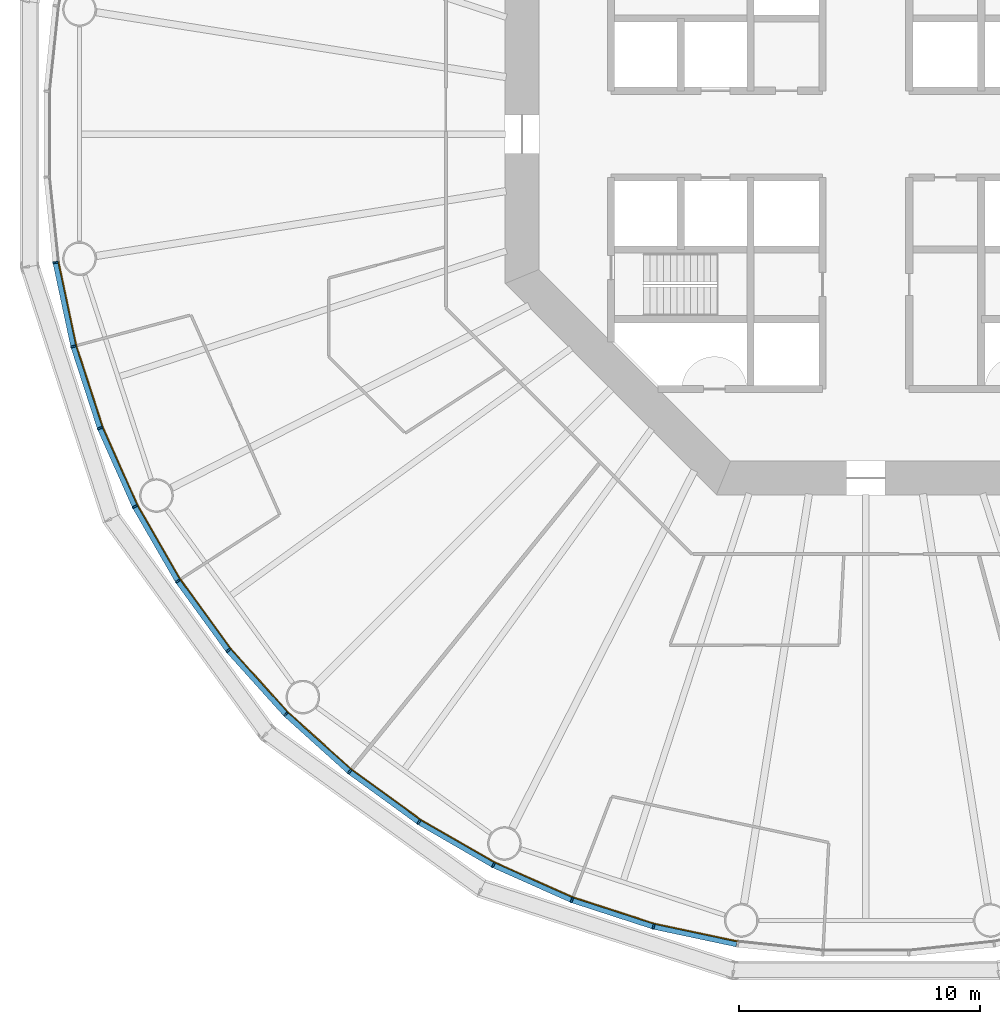
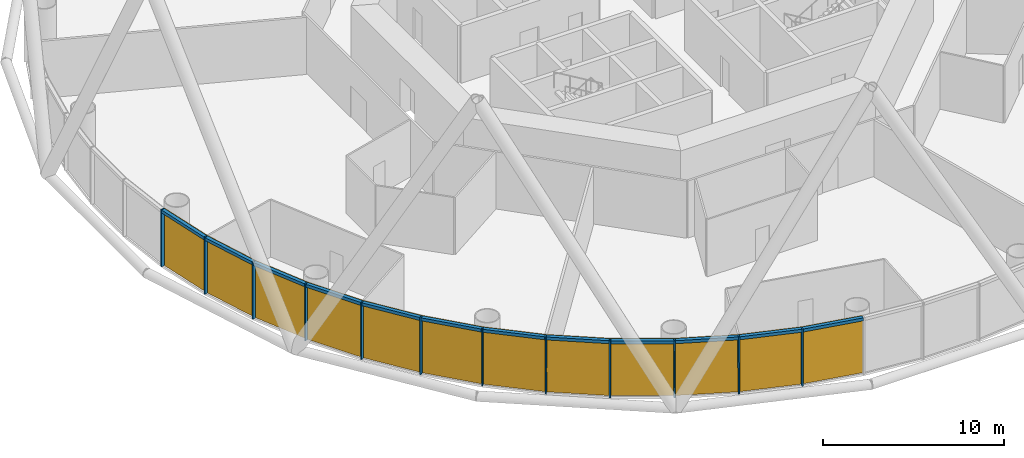
# One storey, part 7 of 13: 24 members, 4 curtain walls.
"""IFC4 building model written with IfcOpenShell, lengths in metres."""

from ifc_helpers import new_model, si_unit, direction, frame, origin, origin_2d, place, context, subcontext, project, spatial, polyline, rectangle, outline, extrude, material, layer, layer_set, material_profile, profile_set, type_object, element, aggregate, save


model = new_model("IFC4")

# Units and contexts
model_context = context("Model", 3, precision=1e-05, world=origin(), true_north=direction((0.0, 1.0)))
body_context = subcontext(model_context, "Body", "Model", "MODEL_VIEW")
ifc_project = project(units=[si_unit("LENGTHUNIT", "METRE"), si_unit("AREAUNIT", "SQUARE_METRE"), si_unit("VOLUMEUNIT", "CUBIC_METRE"), si_unit("PLANEANGLEUNIT", "RADIAN"), si_unit("MASSUNIT", "GRAM", prefix="KILO")], contexts=[model_context])

# Member
ifc_material_1 = material(Name="Anodised aluminium", Category="aluminium")
ifc_material_profile_1 = material_profile(ifc_material_1, rectangle(XDim=0.074951171875, YDim=0.219970703125, at=origin_2d()), Name="Mullion 75 x 220 mm anodised aluminium")
ifc_profile_set_1 = profile_set([ifc_material_profile_1], Name="Anodised aluminium")
member_type_1 = type_object("IfcMemberType", Name="Mullion 75 x 220 mm anodised aluminium", PredefinedType="MULLION", material=ifc_profile_set_1)
site_placement = place(None, origin())
building_placement = place(site_placement, origin())
storey_placement = place(building_placement, frame((0.0, 0.0, 18.0)))
member_1_placement = place(storey_placement, frame((56.31005859375, 74.6640625, 0.0), z_axis=(0.0, 0.0, 1.0), x_axis=(0.15643446504, -0.987688340595, 0.0)))
member_1 = element("IfcMember", 1, at=member_1_placement, type_object=member_type_1, Name="MULLION L02-30", PredefinedType="MULLION", context=body_context, shape_type="SweptSolid", body=[
    extrude(rectangle(XDim=0.074951171875, YDim=0.219970703125, at=origin_2d()), origin(), (0.0, 0.0, 1.0), 3.85009765625),
])

member_2_placement = place(storey_placement, frame((57.05224609375, 71.171630859375, 0.0), z_axis=(0.0, 0.0, 1.0), x_axis=(0.258819045103, -0.965925826289, 0.0)))
member_2 = element("IfcMember", 2, at=member_2_placement, type_object=member_type_1, Name="MULLION L02-31", PredefinedType="MULLION", context=body_context, shape_type="SweptSolid", body=[
    extrude(rectangle(XDim=0.074951171875, YDim=0.219970703125, at=origin_2d()), origin(), (0.0, 0.0, 1.0), 3.85009765625),
])

member_3_placement = place(storey_placement, frame((58.155517578125, 67.776123046875, 0.0), z_axis=(0.0, 0.0, 1.0), x_axis=(0.358367949545, -0.933580426497, 0.0)))
member_3 = element("IfcMember", 3, at=member_3_placement, type_object=member_type_1, Name="MULLION L02-32", PredefinedType="MULLION", context=body_context, shape_type="SweptSolid", body=[
    extrude(rectangle(XDim=0.074951171875, YDim=0.219970703125, at=origin_2d()), origin(), (0.0, 0.0, 1.0), 3.85009765625),
])

member_4_placement = place(storey_placement, frame((59.607666015625, 64.514404296875, 0.0), z_axis=(0.0, 0.0, 1.0), x_axis=(0.45399049974, -0.891006524188, 0.0)))
member_4 = element("IfcMember", 4, at=member_4_placement, type_object=member_type_1, Name="MULLION L02-33", PredefinedType="MULLION", context=body_context, shape_type="SweptSolid", body=[
    extrude(rectangle(XDim=0.074951171875, YDim=0.219970703125, at=origin_2d()), origin(), (0.0, 0.0, 1.0), 3.85009765625),
])

member_5_placement = place(storey_placement, frame((61.39306640625, 61.42236328125, 0.0), z_axis=(0.0, 0.0, 1.0), x_axis=(0.544639035015, -0.838670567945, 0.0)))
member_5 = element("IfcMember", 5, at=member_5_placement, type_object=member_type_1, Name="MULLION L02-34", PredefinedType="MULLION", context=body_context, shape_type="SweptSolid", body=[
    extrude(rectangle(XDim=0.074951171875, YDim=0.219970703125, at=origin_2d()), origin(), (0.0, 0.0, 1.0), 3.85009765625),
])

member_6_placement = place(storey_placement, frame((63.491455078125, 58.533935546875, 0.0), z_axis=(0.0, 0.0, 1.0), x_axis=(0.62932039105, -0.777145961457, 0.0)))
member_6 = element("IfcMember", 6, at=member_6_placement, type_object=member_type_1, Name="MULLION L02-35", PredefinedType="MULLION", context=body_context, shape_type="SweptSolid", body=[
    extrude(rectangle(XDim=0.074951171875, YDim=0.219970703125, at=origin_2d()), origin(), (0.0, 0.0, 1.0), 3.85009765625),
])

member_7_placement = place(storey_placement, frame((65.880615234375, 55.880615234375, 0.0), z_axis=(0.0, 0.0, 1.0), x_axis=(0.707106781187, -0.707106781187, 0.0)))
member_7 = element("IfcMember", 7, at=member_7_placement, type_object=member_type_1, Name="MULLION L02-36", PredefinedType="MULLION", context=body_context, shape_type="SweptSolid", body=[
    extrude(rectangle(XDim=0.074951171875, YDim=0.219970703125, at=origin_2d()), origin(), (0.0, 0.0, 1.0), 3.85009765625),
])

member_8_placement = place(storey_placement, frame((68.533935546875, 53.491455078125, 0.0), z_axis=(0.0, 0.0, 1.0), x_axis=(0.777145961457, -0.62932039105, 0.0)))
member_8 = element("IfcMember", 8, at=member_8_placement, type_object=member_type_1, Name="MULLION L02-37", PredefinedType="MULLION", context=body_context, shape_type="SweptSolid", body=[
    extrude(rectangle(XDim=0.074951171875, YDim=0.219970703125, at=origin_2d()), origin(), (0.0, 0.0, 1.0), 3.85009765625),
])

member_9_placement = place(storey_placement, frame((71.42236328125, 51.39306640625, 0.0), z_axis=(0.0, 0.0, 1.0), x_axis=(0.838670567945, -0.544639035015, 0.0)))
member_9 = element("IfcMember", 9, at=member_9_placement, type_object=member_type_1, Name="MULLION L02-38", PredefinedType="MULLION", context=body_context, shape_type="SweptSolid", body=[
    extrude(rectangle(XDim=0.074951171875, YDim=0.219970703125, at=origin_2d()), origin(), (0.0, 0.0, 1.0), 3.85009765625),
])

member_10_placement = place(storey_placement, frame((74.514404296875, 49.607666015625, 0.0), z_axis=(0.0, 0.0, 1.0), x_axis=(0.891006524188, -0.45399049974, 0.0)))
member_10 = element("IfcMember", 10, at=member_10_placement, type_object=member_type_1, Name="MULLION L02-39", PredefinedType="MULLION", context=body_context, shape_type="SweptSolid", body=[
    extrude(rectangle(XDim=0.074951171875, YDim=0.219970703125, at=origin_2d()), origin(), (0.0, 0.0, 1.0), 3.85009765625),
])

member_11_placement = place(storey_placement, frame((77.776123046875, 48.155517578125, 0.0), z_axis=(0.0, 0.0, 1.0), x_axis=(0.933580426497, -0.358367949545, 0.0)))
member_11 = element("IfcMember", 11, at=member_11_placement, type_object=member_type_1, Name="MULLION L02-40", PredefinedType="MULLION", context=body_context, shape_type="SweptSolid", body=[
    extrude(rectangle(XDim=0.074951171875, YDim=0.219970703125, at=origin_2d()), origin(), (0.0, 0.0, 1.0), 3.85009765625),
])

member_12_placement = place(storey_placement, frame((81.171630859375, 47.05224609375, 0.0), z_axis=(0.0, 0.0, 1.0), x_axis=(0.965925826289, -0.258819045103, 0.0)))
member_12 = element("IfcMember", 12, at=member_12_placement, type_object=member_type_1, Name="MULLION L02-41", PredefinedType="MULLION", context=body_context, shape_type="SweptSolid", body=[
    extrude(rectangle(XDim=0.074951171875, YDim=0.219970703125, at=origin_2d()), origin(), (0.0, 0.0, 1.0), 3.85009765625),
])

ifc_material_2 = material(Name="Anodised aluminium", Category="aluminium")
ifc_material_profile_2 = material_profile(ifc_material_2, rectangle(XDim=0.219970703125, YDim=0.199951171875, at=origin_2d()), Name="Transom 200 x 220 mm anodised aluminium")
ifc_profile_set_2 = profile_set([ifc_material_profile_2], Name="Anodised aluminium")
member_type_2 = type_object("IfcMemberType", Name="Transom 200 x 220 mm anodised aluminium", PredefinedType="USERDEFINED", material=ifc_profile_set_2)
member_13_placement = place(storey_placement, frame((56.31884765625, 74.62158203125, 3.75), z_axis=(0.207920776701, -0.978145669426, 0.0), x_axis=(0.978145669426, 0.207920776701, 0.0)))
member_13 = element("IfcMember", 13, at=member_13_placement, type_object=member_type_2, Name="TRANSOM L02-30", ObjectType="TRANSOM", PredefinedType="USERDEFINED", context=body_context, shape_type="SweptSolid", body=[
    extrude(rectangle(XDim=0.219970703125, YDim=0.199951171875, at=origin_2d()), origin(), (0.0, 0.0, 1.0), 3.48388671875),
])

member_14_placement = place(storey_placement, frame((57.0654296875, 71.130615234375, 3.75), z_axis=(0.309029029702, -0.951052605696, 0.0), x_axis=(0.951052605696, 0.309029029702, 0.0)))
member_14 = element("IfcMember", 14, at=member_14_placement, type_object=member_type_2, Name="TRANSOM L02-31", ObjectType="TRANSOM", PredefinedType="USERDEFINED", context=body_context, shape_type="SweptSolid", body=[
    extrude(rectangle(XDim=0.219970703125, YDim=0.199951171875, at=origin_2d()), origin(), (0.0, 0.0, 1.0), 3.484130859375),
])

member_15_placement = place(storey_placement, frame((58.173095703125, 67.736572265625, 3.75), z_axis=(0.406736576304, -0.913545487371, 0.0), x_axis=(0.913545487371, 0.406736576304, 0.0)))
member_15 = element("IfcMember", 15, at=member_15_placement, type_object=member_type_2, Name="TRANSOM L02-32", ObjectType="TRANSOM", PredefinedType="USERDEFINED", context=body_context, shape_type="SweptSolid", body=[
    extrude(rectangle(XDim=0.219970703125, YDim=0.199951171875, at=origin_2d()), origin(), (0.0, 0.0, 1.0), 3.48388671875),
])

member_16_placement = place(storey_placement, frame((59.629150390625, 64.476806640625, 3.75), z_axis=(0.500005538244, -0.866022206254, 0.0), x_axis=(0.866022206254, 0.500005538244, 0.0)))
member_16 = element("IfcMember", 16, at=member_16_placement, type_object=member_type_2, Name="TRANSOM L02-33", ObjectType="TRANSOM", PredefinedType="USERDEFINED", context=body_context, shape_type="SweptSolid", body=[
    extrude(rectangle(XDim=0.219970703125, YDim=0.199951171875, at=origin_2d()), origin(), (0.0, 0.0, 1.0), 3.48388671875),
])

member_17_placement = place(storey_placement, frame((61.418212890625, 61.38720703125, 3.75), z_axis=(0.587821627006, -0.80899056535, 0.0), x_axis=(0.80899056535, 0.587821627006, 0.0)))
member_17 = element("IfcMember", 17, at=member_17_placement, type_object=member_type_2, Name="TRANSOM L02-34", ObjectType="TRANSOM", PredefinedType="USERDEFINED", context=body_context, shape_type="SweptSolid", body=[
    extrude(rectangle(XDim=0.219970703125, YDim=0.199951171875, at=origin_2d()), origin(), (0.0, 0.0, 1.0), 3.48388671875),
])

member_18_placement = place(storey_placement, frame((63.520263671875, 58.501708984375, 3.75), z_axis=(0.669138930974, -0.743137329876, 0.0), x_axis=(0.743137329876, 0.669138930974, 0.0)))
member_18 = element("IfcMember", 18, at=member_18_placement, type_object=member_type_2, Name="TRANSOM L02-35", ObjectType="TRANSOM", PredefinedType="USERDEFINED", context=body_context, shape_type="SweptSolid", body=[
    extrude(rectangle(XDim=0.219970703125, YDim=0.199951171875, at=origin_2d()), origin(), (0.0, 0.0, 1.0), 3.484130859375),
])

member_19_placement = place(storey_placement, frame((65.91259765625, 55.8515625, 3.75), z_axis=(0.743137329876, -0.669138930974, 0.0), x_axis=(0.669138930974, 0.743137329876, 0.0)))
member_19 = element("IfcMember", 19, at=member_19_placement, type_object=member_type_2, Name="TRANSOM L02-36", ObjectType="TRANSOM", PredefinedType="USERDEFINED", context=body_context, shape_type="SweptSolid", body=[
    extrude(rectangle(XDim=0.219970703125, YDim=0.199951171875, at=origin_2d()), origin(), (0.0, 0.0, 1.0), 3.484130859375),
])

member_20_placement = place(storey_placement, frame((68.56884765625, 53.466064453125, 3.75), z_axis=(0.80899056535, -0.587821627006, 0.0), x_axis=(0.587821627006, 0.80899056535, 0.0)))
member_20 = element("IfcMember", 20, at=member_20_placement, type_object=member_type_2, Name="TRANSOM L02-37", ObjectType="TRANSOM", PredefinedType="USERDEFINED", context=body_context, shape_type="SweptSolid", body=[
    extrude(rectangle(XDim=0.219970703125, YDim=0.199951171875, at=origin_2d()), origin(), (0.0, 0.0, 1.0), 3.48388671875),
])

member_21_placement = place(storey_placement, frame((71.459716796875, 51.37109375, 3.75), z_axis=(0.866022206254, -0.500005538244, 0.0), x_axis=(0.500005538244, 0.866022206254, 0.0)))
member_21 = element("IfcMember", 21, at=member_21_placement, type_object=member_type_2, Name="TRANSOM L02-38", ObjectType="TRANSOM", PredefinedType="USERDEFINED", context=body_context, shape_type="SweptSolid", body=[
    extrude(rectangle(XDim=0.219970703125, YDim=0.199951171875, at=origin_2d()), origin(), (0.0, 0.0, 1.0), 3.48388671875),
])

member_22_placement = place(storey_placement, frame((74.553955078125, 49.590087890625, 3.75), z_axis=(0.913545487371, -0.406736576304, 0.0), x_axis=(0.406736576304, 0.913545487371, 0.0)))
member_22 = element("IfcMember", 22, at=member_22_placement, type_object=member_type_2, Name="TRANSOM L02-39", ObjectType="TRANSOM", PredefinedType="USERDEFINED", context=body_context, shape_type="SweptSolid", body=[
    extrude(rectangle(XDim=0.219970703125, YDim=0.199951171875, at=origin_2d()), origin(), (0.0, 0.0, 1.0), 3.48388671875),
])

member_23_placement = place(storey_placement, frame((77.817138671875, 48.14208984375, 3.75), z_axis=(0.951052605696, -0.309029029702, 0.0), x_axis=(0.309029029702, 0.951052605696, 0.0)))
member_23 = element("IfcMember", 23, at=member_23_placement, type_object=member_type_2, Name="TRANSOM L02-40", ObjectType="TRANSOM", PredefinedType="USERDEFINED", context=body_context, shape_type="SweptSolid", body=[
    extrude(rectangle(XDim=0.219970703125, YDim=0.199951171875, at=origin_2d()), origin(), (0.0, 0.0, 1.0), 3.484130859375),
])

member_24_placement = place(storey_placement, frame((81.2138671875, 47.043212890625, 3.75), z_axis=(0.978145669426, -0.207920776701, 0.0), x_axis=(0.207920776701, 0.978145669426, 0.0)))
member_24 = element("IfcMember", 24, at=member_24_placement, type_object=member_type_2, Name="TRANSOM L02-41", ObjectType="TRANSOM", PredefinedType="USERDEFINED", context=body_context, shape_type="SweptSolid", body=[
    extrude(rectangle(XDim=0.219970703125, YDim=0.199951171875, at=origin_2d()), origin(), (0.0, 0.0, 1.0), 3.48388671875),
])

# Site, building, storey
site = spatial("IfcSite", under=ifc_project, at=site_placement, CompositionType="ELEMENT")
building = spatial("IfcBuilding", under=site, at=building_placement, Name="Entoto Ring Tower", CompositionType="ELEMENT")
storey = spatial("IfcBuildingStorey", under=building, at=storey_placement, Name="L02", CompositionType="ELEMENT", Elevation=18.0)

# Curtain wall
ifc_material_3 = material(Name="Clear low-iron glass", Category="glass")
ifc_layer = layer(ifc_material_3, 0.0400390625)
ifc_layer_set = layer_set([ifc_layer], Name="Clear low-iron glass")
curtain_wall_type = type_object("IfcCurtainWallType", Name="Curtain wall system CW1 glazing 40 mm", PredefinedType="NOTDEFINED", material=ifc_layer_set)
curtain_wall_1_placement = place(storey_placement, origin())
curtain_wall_1 = element("IfcCurtainWall", 25, at=curtain_wall_1_placement, inside=storey, type_object=curtain_wall_type, Name="CW1 L02-11", PredefinedType="NOTDEFINED", context=body_context, shape_type="SweptSolid", body=[
    extrude(outline(polyline([(56.418701171875, 74.68115234375), (57.158447265625, 71.2001953125), (58.25830078125, 67.8154296875), (59.705810546875, 64.564208984375), (59.741455078125, 64.58251953125), (58.295654296875, 67.829833984375), (57.197265625, 71.21044921875), (56.458251953125, 74.6875), (56.418701171875, 74.68115234375)])), origin(), (0.0, 0.0, 1.0), 3.85009765625),
])

aggregate(curtain_wall_1, [member_1, member_2, member_3, member_13, member_14, member_15])

curtain_wall_2_placement = place(storey_placement, origin())
curtain_wall_2 = element("IfcCurtainWall", 26, at=curtain_wall_2_placement, inside=storey, type_object=curtain_wall_type, Name="CW1 L02-12", PredefinedType="NOTDEFINED", context=body_context, shape_type="SweptSolid", body=[
    extrude(outline(polyline([(59.705810546875, 64.564208984375), (61.485107421875, 61.482177734375), (63.5771484375, 58.60302734375), (65.958251953125, 55.958251953125), (65.986572265625, 55.986572265625), (63.608154296875, 58.62841796875), (61.518798828125, 61.504150390625), (59.741455078125, 64.58251953125), (59.705810546875, 64.564208984375)])), origin(), (0.0, 0.0, 1.0), 3.85009765625),
])

aggregate(curtain_wall_2, [member_4, member_5, member_6, member_16, member_17, member_18])

curtain_wall_3_placement = place(storey_placement, origin())
curtain_wall_3 = element("IfcCurtainWall", 27, at=curtain_wall_3_placement, inside=storey, type_object=curtain_wall_type, Name="CW1 L02-13", PredefinedType="NOTDEFINED", context=body_context, shape_type="SweptSolid", body=[
    extrude(outline(polyline([(65.958251953125, 55.958251953125), (68.60302734375, 53.5771484375), (71.482177734375, 51.485107421875), (74.564208984375, 49.705810546875), (74.58251953125, 49.741455078125), (71.504150390625, 51.518798828125), (68.62841796875, 53.608154296875), (65.986572265625, 55.986572265625), (65.958251953125, 55.958251953125)])), origin(), (0.0, 0.0, 1.0), 3.85009765625),
])

aggregate(curtain_wall_3, [member_7, member_8, member_9, member_19, member_20, member_21])

curtain_wall_4_placement = place(storey_placement, origin())
curtain_wall_4 = element("IfcCurtainWall", 28, at=curtain_wall_4_placement, inside=storey, type_object=curtain_wall_type, Name="CW1 L02-14", PredefinedType="NOTDEFINED", context=body_context, shape_type="SweptSolid", body=[
    extrude(outline(polyline([(74.564208984375, 49.705810546875), (77.8154296875, 48.25830078125), (81.2001953125, 47.158447265625), (84.68115234375, 46.418701171875), (84.6875, 46.458251953125), (81.21044921875, 47.197265625), (77.829833984375, 48.295654296875), (74.58251953125, 49.741455078125), (74.564208984375, 49.705810546875)])), origin(), (0.0, 0.0, 1.0), 3.85009765625),
])

aggregate(curtain_wall_4, [member_10, member_11, member_12, member_22, member_23, member_24])

save(model, "model.ifc")
